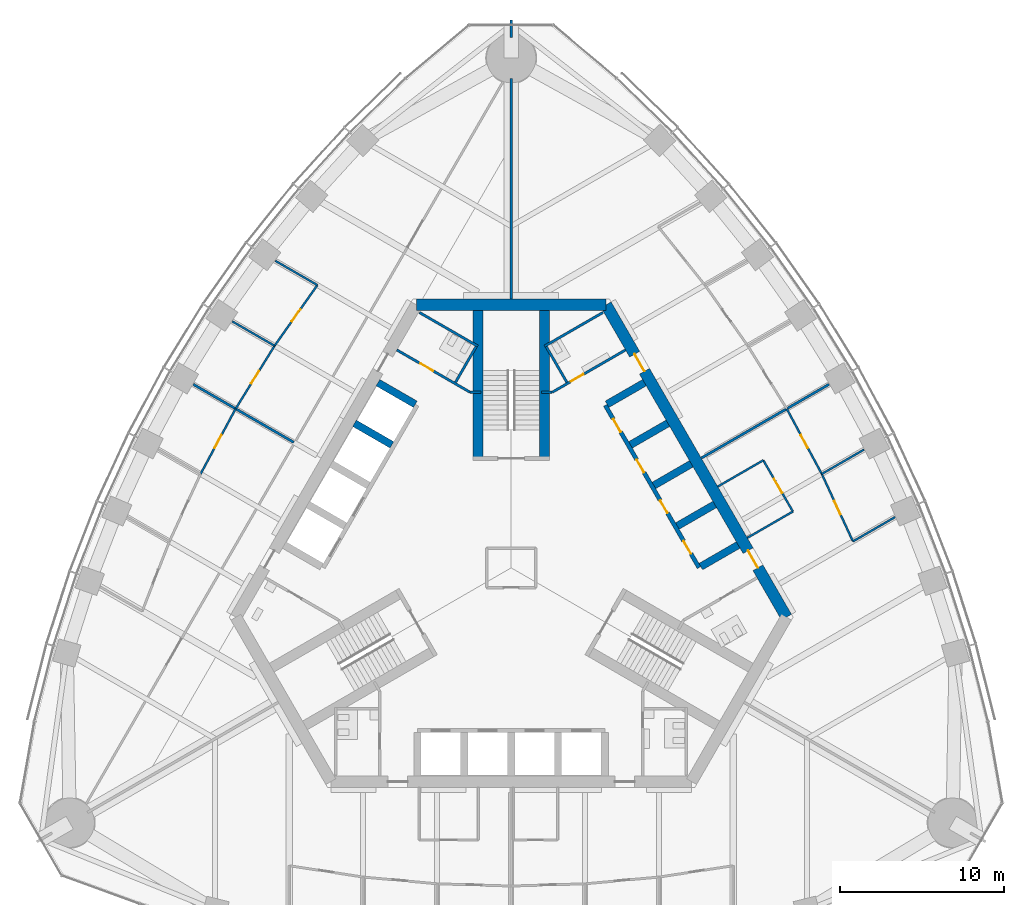
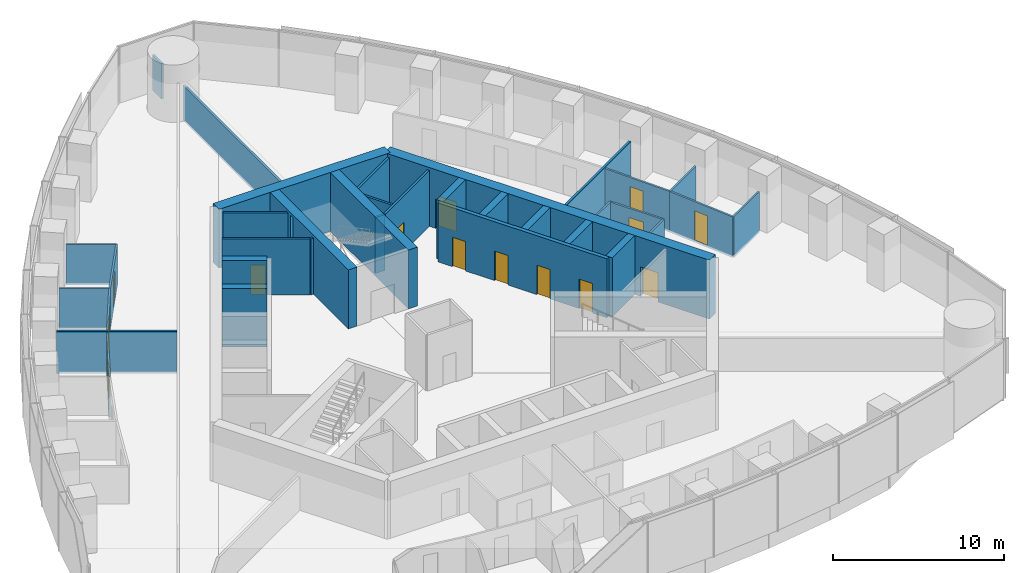
# One storey, part 10 of 16: 36 walls, 14 doors, 14 openings.
"""IFC4 building model written with IfcOpenShell, lengths in metres."""

from ifc_helpers import new_model, si_unit, direction, frame, frame_2d, origin, place, context, subcontext, project, spatial, rectangle, extrude, material, layer, layer_set, type_object, element, fill, save


model = new_model("IFC4")

# Units and contexts
model_context = context("Model", 3, precision=1e-05, world=origin(), true_north=direction((0.0, 1.0)))
body_context = subcontext(model_context, "Body", "Model", "MODEL_VIEW")
ifc_project = project(units=[si_unit("LENGTHUNIT", "METRE"), si_unit("AREAUNIT", "SQUARE_METRE"), si_unit("VOLUMEUNIT", "CUBIC_METRE"), si_unit("PLANEANGLEUNIT", "RADIAN"), si_unit("MASSUNIT", "GRAM", prefix="KILO")], contexts=[model_context])

# Site, building, storey
site_placement = place(None, origin())
site = spatial("IfcSite", under=ifc_project, at=site_placement, CompositionType="ELEMENT")
building_placement = place(site_placement, origin())
building = spatial("IfcBuilding", under=site, at=building_placement, Name="Trefoil Bronze Tower", CompositionType="ELEMENT")
storey_placement = place(building_placement, frame((0.0, 0.0, 284.699951171875)))
storey = spatial("IfcBuildingStorey", under=building, at=storey_placement, Name="L65", CompositionType="ELEMENT", Elevation=284.699951171875)

# Wall, openings, doors
ifc_material_1 = material(Name="Concrete B80", Category="concrete")
ifc_layer_1 = layer(ifc_material_1, 0.699951171875)
ifc_layer_set_1 = layer_set([ifc_layer_1], Name="Core wall 700")
wall_type_1 = type_object("IfcWallType", Name="Core wall 700", PredefinedType="SHEAR", material=ifc_layer_set_1)
wall_1_placement = place(storey_placement, frame((16.7431640625, -3.0, 0.0), z_axis=(0.0, 0.0, 1.0), x_axis=(-0.500002442456, 0.866023993627, 0.0)))
wall_1 = element("IfcWall", 1, at=wall_1_placement, inside=storey, type_object=wall_type_1, Name="Core long wall 2 L65", PredefinedType="SHEAR", context=body_context, shape_type="SweptSolid", body=[
    extrude(rectangle(XDim=21.939453125, YDim=0.699951171875, at=frame_2d((10.9697265625, 0.0))), origin(), (0.0, 0.0, 1.0), 4.199951171875),
])
opening_1_placement = place(wall_1_placement, frame((17.269775390625, 0.0, 0.0)))
opening_1 = element("IfcOpeningElement", 2, at=opening_1_placement, cuts=wall_1, Name="Opening D2", PredefinedType="OPENING", context=body_context, shape_type="SweptSolid", body=[
    extrude(rectangle(XDim=1.199951171875, YDim=2.10009765625, at=frame_2d((0.60009765625, 1.050048828125))), frame((0.0, 0.35986328125, 0.0), z_axis=(0.0, -1.0, 0.0), x_axis=(1.0, 0.0, 0.0)), (0.0, 0.0, 1.0), 0.719970703125),
])
opening_2_placement = place(wall_1_placement, frame((3.4697265625, 0.0, 0.0)))
opening_2 = element("IfcOpeningElement", 3, at=opening_2_placement, cuts=wall_1, Name="Opening D2", PredefinedType="OPENING", context=body_context, shape_type="SweptSolid", body=[
    extrude(rectangle(XDim=1.199951171875, YDim=2.10009765625, at=frame_2d((0.60009765625, 1.050048828125))), frame((0.0, 0.35986328125, 0.0), z_axis=(0.0, -1.0, 0.0), x_axis=(1.0, 0.0, 0.0)), (0.0, 0.0, 1.0), 0.719970703125),
])
ifc_material_2 = material(Name="Steel door", Category="steel")
door_type_1 = type_object("IfcDoorType", Name="Lobby door 1200", OperationType="SINGLE_SWING_RIGHT", PredefinedType="DOOR", material=ifc_material_2)
door_1_placement = place(opening_1_placement, origin())
door_1 = element("IfcDoor", 4, at=door_1_placement, inside=storey, type_object=door_type_1, Name="Lobby door F2+ L65", OperationType="SINGLE_SWING_RIGHT", OverallHeight=2.10009765625, OverallWidth=1.199951171875, PredefinedType="DOOR", context=body_context, shape_type="SweptSolid", body=[
    extrude(rectangle(XDim=1.199951171875, YDim=2.10009765625, at=frame_2d((0.60009765625, 1.050048828125))), frame((0.0, 0.02490234375, 0.0), z_axis=(0.0, -1.0, 0.0), x_axis=(1.0, 0.0, 0.0)), (0.0, 0.0, 1.0), 0.050048828125),
])
fill(opening_1, door_1)
door_2_placement = place(opening_2_placement, origin())
door_2 = element("IfcDoor", 5, at=door_2_placement, inside=storey, type_object=door_type_1, Name="Lobby door F2- L65", OperationType="SINGLE_SWING_LEFT", OverallHeight=2.10009765625, OverallWidth=1.199951171875, PredefinedType="DOOR", context=body_context, shape_type="SweptSolid", body=[
    extrude(rectangle(XDim=1.199951171875, YDim=2.10009765625, at=frame_2d((0.60009765625, 1.050048828125))), frame((0.0, 0.02490234375, 0.0), z_axis=(0.0, -1.0, 0.0), x_axis=(1.0, 0.0, 0.0)), (0.0, 0.0, 1.0), 0.050048828125),
])
fill(opening_2, door_2)

# Wall
wall_2_placement = place(storey_placement, frame((5.7734375, 16.0, 0.0), z_axis=(0.0, 0.0, 1.0), x_axis=(-1.0, 0.0, 0.0)))
element("IfcWall", 6, at=wall_2_placement, inside=storey, type_object=wall_type_1, Name="Core short wall 2 L65", PredefinedType="SHEAR", context=body_context, shape_type="SweptSolid", body=[
    extrude(rectangle(XDim=11.546875, YDim=0.699951171875, at=frame_2d((5.7734375, 0.0))), origin(), (0.0, 0.0, 1.0), 4.199951171875),
])

# Wall, opening, door
ifc_material_3 = material(Name="Glazed partition", Category="glass")
ifc_layer_2 = layer(ifc_material_3, 0.1201171875)
ifc_layer_set_2 = layer_set([ifc_layer_2], Name="Glazed partition 120")
wall_type_2 = type_object("IfcWallType", Name="Glazed partition 120", PredefinedType="PARTITIONING", material=ifc_layer_set_2)
wall_3_placement = place(storey_placement, frame((17.1328125, 3.42529296875, 0.0), z_axis=(0.0, 0.0, 1.0), x_axis=(-0.500012057535, 0.866018442252, 0.0)))
wall_3 = element("IfcWall", 7, at=wall_3_placement, inside=storey, type_object=wall_type_2, Name="Partition F2 L65", PredefinedType="PARTITIONING", context=body_context, shape_type="SweptSolid", body=[
    extrude(rectangle(XDim=3.60009765625, YDim=0.1201171875, at=frame_2d((1.800048828125, 0.0))), origin(), (0.0, 0.0, 1.0), 2.900146484375),
])
opening_3_placement = place(wall_3_placement, frame((1.300048828125, 0.0, 0.14990234375)))
opening_3 = element("IfcOpeningElement", 8, at=opening_3_placement, cuts=wall_3, Name="Opening D9", PredefinedType="OPENING", context=body_context, shape_type="SweptSolid", body=[
    extrude(rectangle(XDim=1.0, YDim=2.10009765625, at=frame_2d((0.5, 1.050048828125))), frame((0.0, 0.070068359375, 0.0), z_axis=(0.0, -1.0, 0.0), x_axis=(1.0, 0.0, 0.0)), (0.0, 0.0, 1.0), 0.14013671875),
])
ifc_material_4 = material(Name="Glazed timber door", Category="wood")
door_type_2 = type_object("IfcDoorType", Name="Meeting room door 1000", OperationType="SINGLE_SWING_LEFT", PredefinedType="DOOR", material=ifc_material_4)
door_3_placement = place(opening_3_placement, origin())
door_3 = element("IfcDoor", 9, at=door_3_placement, inside=storey, type_object=door_type_2, Name="Meeting room door F2 L65", OperationType="SINGLE_SWING_RIGHT", OverallHeight=2.10009765625, OverallWidth=1.0, PredefinedType="DOOR", context=body_context, shape_type="SweptSolid", body=[
    extrude(rectangle(XDim=1.0, YDim=2.10009765625, at=frame_2d((0.5, 1.050048828125))), frame((0.0, 0.02490234375, 0.0), z_axis=(0.0, -1.0, 0.0), x_axis=(1.0, 0.0, 0.0)), (0.0, 0.0, 1.0), 0.050048828125),
])
fill(opening_3, door_3)

# Walls
wall_4_placement = place(storey_placement, frame((12.5615234375, 4.94287109375, 0.0), z_axis=(0.0, 0.0, 1.0), x_axis=(0.866008981251, 0.500028443584, 0.0)))
element("IfcWall", 10, at=wall_4_placement, inside=storey, type_object=wall_type_2, Name="Partition F2 L65", PredefinedType="PARTITIONING", context=body_context, shape_type="SweptSolid", body=[
    extrude(rectangle(XDim=3.199951171875, YDim=0.1201171875, at=frame_2d((1.60009765625, 0.0))), origin(), (0.0, 0.0, 1.0), 2.900146484375),
])
wall_5_placement = place(storey_placement, frame((14.361328125, 1.8251953125, 0.0), z_axis=(0.0, 0.0, 1.0), x_axis=(0.866028054938, 0.499995408039, 0.0)))
element("IfcWall", 11, at=wall_5_placement, inside=storey, type_object=wall_type_2, Name="Partition F2 L65", PredefinedType="PARTITIONING", context=body_context, shape_type="SweptSolid", body=[
    extrude(rectangle(XDim=3.2001953125, YDim=0.1201171875, at=frame_2d((1.60009765625, 0.0))), origin(), (0.0, 0.0, 1.0), 2.900146484375),
])

# Wall, opening, door
wall_6_placement = place(storey_placement, frame((18.890869140625, 5.71044921875, 0.0), z_axis=(0.0, 0.0, 1.0), x_axis=(-0.473524102582, 0.880780860529, 0.0)))
wall_6 = element("IfcWall", 12, at=wall_6_placement, inside=storey, type_object=wall_type_2, Name="Partition F2 L65", PredefinedType="PARTITIONING", context=body_context, shape_type="SweptSolid", body=[
    extrude(rectangle(XDim=4.501953125, YDim=0.1201171875, at=frame_2d((2.2509765625, 0.0))), origin(), (0.0, 0.0, 1.0), 2.900146484375),
])
opening_4_placement = place(wall_6_placement, frame((1.800048828125, 0.0, 0.14990234375)))
opening_4 = element("IfcOpeningElement", 13, at=opening_4_placement, cuts=wall_6, Name="Opening D8", PredefinedType="OPENING", context=body_context, shape_type="SweptSolid", body=[
    extrude(rectangle(XDim=0.89990234375, YDim=2.10009765625, at=frame_2d((0.449951171875, 1.050048828125))), frame((0.0, 0.070068359375, 0.0), z_axis=(0.0, -1.0, 0.0), x_axis=(1.0, 0.0, 0.0)), (0.0, 0.0, 1.0), 0.14013671875),
])
ifc_material_5 = material(Name="Timber door", Category="wood")
door_type_3 = type_object("IfcDoorType", Name="Office door 900", OperationType="SINGLE_SWING_LEFT", PredefinedType="DOOR", material=ifc_material_5)
door_4_placement = place(opening_4_placement, frame((0.89990234375, 0.0, 0.0), z_axis=(0.0, 0.0, 1.0), x_axis=(-1.0, 0.0, 0.0)))
door_4 = element("IfcDoor", 14, at=door_4_placement, inside=storey, type_object=door_type_3, Name="Office door F2 L65", OperationType="SINGLE_SWING_RIGHT", OverallHeight=2.10009765625, OverallWidth=0.89990234375, PredefinedType="DOOR", context=body_context, shape_type="SweptSolid", body=[
    extrude(rectangle(XDim=0.89990234375, YDim=2.10009765625, at=frame_2d((0.449951171875, 1.050048828125))), frame((0.0, 0.02490234375, 0.0), z_axis=(0.0, -1.0, 0.0), x_axis=(1.0, 0.0, 0.0)), (0.0, 0.0, 1.0), 0.050048828125),
])
fill(opening_4, door_4)

wall_7_placement = place(storey_placement, frame((20.78564453125, 1.6083984375, 0.0), z_axis=(0.0, 0.0, 1.0), x_axis=(-0.419335693458, 0.907831248742, 0.0)))
wall_7 = element("IfcWall", 15, at=wall_7_placement, inside=storey, type_object=wall_type_2, Name="Partition F2 L65", PredefinedType="PARTITIONING", context=body_context, shape_type="SweptSolid", body=[
    extrude(rectangle(XDim=4.5185546875, YDim=0.1201171875, at=frame_2d((2.25927734375, 0.0))), origin(), (0.0, 0.0, 1.0), 2.900146484375),
])
opening_5_placement = place(wall_7_placement, frame((1.800048828125, 0.0, 0.14990234375)))
opening_5 = element("IfcOpeningElement", 16, at=opening_5_placement, cuts=wall_7, Name="Opening D8", PredefinedType="OPENING", context=body_context, shape_type="SweptSolid", body=[
    extrude(rectangle(XDim=0.89990234375, YDim=2.10009765625, at=frame_2d((0.449951171875, 1.050048828125))), frame((0.0, 0.070068359375, 0.0), z_axis=(0.0, -1.0, 0.0), x_axis=(1.0, 0.0, 0.0)), (0.0, 0.0, 1.0), 0.14013671875),
])
door_5_placement = place(opening_5_placement, frame((0.89990234375, 0.0, 0.0), z_axis=(0.0, 0.0, 1.0), x_axis=(-1.0, 0.0, 0.0)))
door_5 = element("IfcDoor", 17, at=door_5_placement, inside=storey, type_object=door_type_3, Name="Office door F2 L65", OperationType="SINGLE_SWING_RIGHT", OverallHeight=2.10009765625, OverallWidth=0.89990234375, PredefinedType="DOOR", context=body_context, shape_type="SweptSolid", body=[
    extrude(rectangle(XDim=0.89990234375, YDim=2.10009765625, at=frame_2d((0.449951171875, 1.050048828125))), frame((0.0, 0.02490234375, 0.0), z_axis=(0.0, -1.0, 0.0), x_axis=(1.0, 0.0, 0.0)), (0.0, 0.0, 1.0), 0.050048828125),
])
fill(opening_5, door_5)

# Walls
wall_8_placement = place(storey_placement, frame((18.890869140625, 5.71044921875, 0.0), z_axis=(0.0, 0.0, 1.0), x_axis=(0.866032134716, 0.499988341504, 0.0)))
element("IfcWall", 18, at=wall_8_placement, inside=storey, type_object=wall_type_2, Name="Partition F2 L65", PredefinedType="PARTITIONING", context=body_context, shape_type="SweptSolid", body=[
    extrude(rectangle(XDim=2.96728515625, YDim=0.1201171875, at=frame_2d((1.483642578125, 0.0))), origin(), (0.0, 0.0, 1.0), 2.900146484375),
])
wall_9_placement = place(storey_placement, frame((20.78564453125, 1.6083984375, 0.0), z_axis=(0.0, 0.0, 1.0), x_axis=(0.866056430242, 0.499946256749, 0.0)))
element("IfcWall", 19, at=wall_9_placement, inside=storey, type_object=wall_type_2, Name="Partition F2 L65", PredefinedType="PARTITIONING", context=body_context, shape_type="SweptSolid", body=[
    extrude(rectangle(XDim=2.958740234375, YDim=0.1201171875, at=frame_2d((1.4794921875, 0.0))), origin(), (0.0, 0.0, 1.0), 2.900146484375),
])

# Wall, opening, door
wall_10_placement = place(storey_placement, frame((-16.759033203125, 9.67578125, 0.0), z_axis=(0.0, 0.0, 1.0), x_axis=(-0.473524102582, -0.880780860529, 0.0)))
wall_10 = element("IfcWall", 20, at=wall_10_placement, inside=storey, type_object=wall_type_2, Name="Partition F3 L65", PredefinedType="PARTITIONING", context=body_context, shape_type="SweptSolid", body=[
    extrude(rectangle(XDim=4.501953125, YDim=0.1201171875, at=frame_2d((2.2509765625, 0.0))), origin(), (0.0, 0.0, 1.0), 2.900146484375),
])
opening_6_placement = place(wall_10_placement, frame((1.800048828125, 0.0, 0.14990234375)))
opening_6 = element("IfcOpeningElement", 21, at=opening_6_placement, cuts=wall_10, Name="Opening D8", PredefinedType="OPENING", context=body_context, shape_type="SweptSolid", body=[
    extrude(rectangle(XDim=0.89990234375, YDim=2.10009765625, at=frame_2d((0.449951171875, 1.050048828125))), frame((0.0, 0.070068359375, 0.0), z_axis=(0.0, -1.0, 0.0), x_axis=(1.0, 0.0, 0.0)), (0.0, 0.0, 1.0), 0.14013671875),
])
door_6_placement = place(opening_6_placement, frame((0.89990234375, 0.0, 0.0), z_axis=(0.0, 0.0, 1.0), x_axis=(-1.0, 0.0, 0.0)))
door_6 = element("IfcDoor", 22, at=door_6_placement, inside=storey, type_object=door_type_3, Name="Office door F3 L65", OperationType="SINGLE_SWING_RIGHT", OverallHeight=2.10009765625, OverallWidth=0.89990234375, PredefinedType="DOOR", context=body_context, shape_type="SweptSolid", body=[
    extrude(rectangle(XDim=0.89990234375, YDim=2.10009765625, at=frame_2d((0.449951171875, 1.050048828125))), frame((0.0, 0.02490234375, 0.0), z_axis=(0.0, -1.0, 0.0), x_axis=(1.0, 0.0, 0.0)), (0.0, 0.0, 1.0), 0.050048828125),
])
fill(opening_6, door_6)

wall_11_placement = place(storey_placement, frame((-14.390869140625, 13.5048828125, 0.0), z_axis=(0.0, 0.0, 1.0), x_axis=(-0.525996140194, -0.850486954927, 0.0)))
wall_11 = element("IfcWall", 23, at=wall_11_placement, inside=storey, type_object=wall_type_2, Name="Partition F3 L65", PredefinedType="PARTITIONING", context=body_context, shape_type="SweptSolid", body=[
    extrude(rectangle(XDim=4.502197265625, YDim=0.1201171875, at=frame_2d((2.2509765625, 0.0))), origin(), (0.0, 0.0, 1.0), 2.900146484375),
])
opening_7_placement = place(wall_11_placement, frame((1.800048828125, 0.0, 0.14990234375)))
opening_7 = element("IfcOpeningElement", 24, at=opening_7_placement, cuts=wall_11, Name="Opening D8", PredefinedType="OPENING", context=body_context, shape_type="SweptSolid", body=[
    extrude(rectangle(XDim=0.89990234375, YDim=2.10009765625, at=frame_2d((0.449951171875, 1.050048828125))), frame((0.0, 0.070068359375, 0.0), z_axis=(0.0, -1.0, 0.0), x_axis=(1.0, 0.0, 0.0)), (0.0, 0.0, 1.0), 0.14013671875),
])
door_7_placement = place(opening_7_placement, frame((0.89990234375, 0.0, 0.0), z_axis=(0.0, 0.0, 1.0), x_axis=(-1.0, 0.0, 0.0)))
door_7 = element("IfcDoor", 25, at=door_7_placement, inside=storey, type_object=door_type_3, Name="Office door F3 L65", OperationType="SINGLE_SWING_RIGHT", OverallHeight=2.10009765625, OverallWidth=0.89990234375, PredefinedType="DOOR", context=body_context, shape_type="SweptSolid", body=[
    extrude(rectangle(XDim=0.89990234375, YDim=2.10009765625, at=frame_2d((0.449951171875, 1.050048828125))), frame((0.0, 0.02490234375, 0.0), z_axis=(0.0, -1.0, 0.0), x_axis=(1.0, 0.0, 0.0)), (0.0, 0.0, 1.0), 0.050048828125),
])
fill(opening_7, door_7)

wall_12_placement = place(storey_placement, frame((-11.78564453125, 17.19677734375, 0.0), z_axis=(0.0, 0.0, 1.0), x_axis=(-0.576562277172, -0.817053205454, 0.0)))
wall_12 = element("IfcWall", 26, at=wall_12_placement, inside=storey, type_object=wall_type_2, Name="Partition F3 L65", PredefinedType="PARTITIONING", context=body_context, shape_type="SweptSolid", body=[
    extrude(rectangle(XDim=4.5185546875, YDim=0.1201171875, at=frame_2d((2.25927734375, 0.0))), origin(), (0.0, 0.0, 1.0), 2.900146484375),
])
opening_8_placement = place(wall_12_placement, frame((1.800048828125, 0.0, 0.14990234375)))
opening_8 = element("IfcOpeningElement", 27, at=opening_8_placement, cuts=wall_12, Name="Opening D8", PredefinedType="OPENING", context=body_context, shape_type="SweptSolid", body=[
    extrude(rectangle(XDim=0.89990234375, YDim=2.10009765625, at=frame_2d((0.449951171875, 1.050048828125))), frame((0.0, 0.070068359375, 0.0), z_axis=(0.0, -1.0, 0.0), x_axis=(1.0, 0.0, 0.0)), (0.0, 0.0, 1.0), 0.14013671875),
])
door_8_placement = place(opening_8_placement, frame((0.89990234375, 0.0, 0.0), z_axis=(0.0, 0.0, 1.0), x_axis=(-1.0, 0.0, 0.0)))
door_8 = element("IfcDoor", 28, at=door_8_placement, inside=storey, type_object=door_type_3, Name="Office door F3 L65", OperationType="SINGLE_SWING_RIGHT", OverallHeight=2.10009765625, OverallWidth=0.89990234375, PredefinedType="DOOR", context=body_context, shape_type="SweptSolid", body=[
    extrude(rectangle(XDim=0.89990234375, YDim=2.10009765625, at=frame_2d((0.449951171875, 1.050048828125))), frame((0.0, 0.02490234375, 0.0), z_axis=(0.0, -1.0, 0.0), x_axis=(1.0, 0.0, 0.0)), (0.0, 0.0, 1.0), 0.050048828125),
])
fill(opening_8, door_8)

# Walls
wall_13_placement = place(storey_placement, frame((-14.390869140625, 13.5048828125, 0.0), z_axis=(0.0, 0.0, 1.0), x_axis=(-0.866067759775, 0.499926630096, 0.0)))
element("IfcWall", 29, at=wall_13_placement, inside=storey, type_object=wall_type_2, Name="Partition F3 L65", PredefinedType="PARTITIONING", context=body_context, shape_type="SweptSolid", body=[
    extrude(rectangle(XDim=2.96728515625, YDim=0.1201171875, at=frame_2d((1.483642578125, 0.0))), origin(), (0.0, 0.0, 1.0), 2.900146484375),
])
wall_14_placement = place(storey_placement, frame((-11.78564453125, 17.19677734375, 0.0), z_axis=(0.0, 0.0, 1.0), x_axis=(-0.866056430242, 0.499946256749, 0.0)))
element("IfcWall", 30, at=wall_14_placement, inside=storey, type_object=wall_type_2, Name="Partition F3 L65", PredefinedType="PARTITIONING", context=body_context, shape_type="SweptSolid", body=[
    extrude(rectangle(XDim=2.958740234375, YDim=0.1201171875, at=frame_2d((1.4794921875, 0.0))), origin(), (0.0, 0.0, 1.0), 2.900146484375),
])
ifc_material_6 = material(Name="Concrete B80", Category="concrete")
ifc_layer_3 = layer(ifc_material_6, 0.449951171875)
ifc_layer_set_3 = layer_set([ifc_layer_3], Name="Outrigger shaft wall 450")
wall_type_3 = type_object("IfcWallType", Name="Outrigger shaft wall 450", PredefinedType="SHEAR", material=ifc_layer_set_3)
for number, where, z_axis, x_axis, name in (
    (31, (11.531982421875, 0.076171875, 0.0), (0.0, 0.0, 1.0), (0.866013657776, 0.500020344131, 0.0), "Lift shaft side wall B0 L65"),
    (32, (10.10693359375, 2.54443359375, 0.0), (0.0, 0.0, 1.0), (0.866013657776, 0.500020344131, 0.0), "Lift shaft side wall B1 L65"),
    (33, (8.681884765625, 5.012451171875, 0.0), (0.0, 0.0, 1.0), (0.866036909293, 0.499980071345, 0.0), "Lift shaft side wall B2 L65"),
    (34, (7.2568359375, 7.480712890625, 0.0), (0.0, 0.0, 1.0), (0.866036909293, 0.499980071345, 0.0), "Lift shaft side wall B3 L65"),
    (35, (5.831787109375, 9.94873046875, 0.0), (0.0, 0.0, 1.0), (0.866036909293, 0.499980071345, 0.0), "Lift shaft side wall B4 L65"),
    (36, (-5.831787109375, 9.94873046875, 0.0), (0.0, 0.0, 1.0), (-0.866036909293, 0.499980071345, 0.0), "Lift shaft side wall C0 L65"),
    (37, (-7.2568359375, 7.480712890625, 0.0), (0.0, 0.0, 1.0), (-0.866036909293, 0.499980071345, 0.0), "Lift shaft side wall C1 L65"),
):
    element("IfcWall", number, at=place(storey_placement, frame(where, z_axis=z_axis, x_axis=x_axis)), inside=storey, type_object=wall_type_3, Name=name, PredefinedType="SHEAR", context=body_context, shape_type="SweptSolid", body=[
        extrude(rectangle(XDim=2.625, YDim=0.449951171875, at=frame_2d((1.3125, 0.0))), origin(), (0.0, 0.0, 1.0), 4.199951171875),
    ])

# Wall, opening, door
ifc_material_7 = material(Name="Gypsum board on steel studs", Category="steel")
ifc_layer_4 = layer(ifc_material_7, 0.14990234375)
ifc_layer_set_4 = layer_set([ifc_layer_4], Name="Partition 150")
wall_type_4 = type_object("IfcWallType", Name="Partition 150", PredefinedType="PARTITIONING", material=ifc_layer_set_4)
wall_15_placement = place(storey_placement, frame((2.4951171875, 10.67822265625, 0.0), z_axis=(0.0, 0.0, 1.0), x_axis=(0.866037967349, 0.499978238636, 0.0)))
wall_15 = element("IfcWall", 38, at=wall_15_placement, inside=storey, type_object=wall_type_4, Name="Passage wall F2+ L65", PredefinedType="PARTITIONING", context=body_context, shape_type="SweptSolid", body=[
    extrude(rectangle(XDim=5.150146484375, YDim=0.14990234375, at=frame_2d((2.5751953125, 0.0))), origin(), (0.0, 0.0, 1.0), 4.0),
])
opening_9_placement = place(wall_15_placement, frame((1.300048828125, 0.0, 0.0)))
opening_9 = element("IfcOpeningElement", 39, at=opening_9_placement, cuts=wall_15, Name="Opening D3", PredefinedType="OPENING", context=body_context, shape_type="SweptSolid", body=[
    extrude(rectangle(XDim=0.89990234375, YDim=2.10009765625, at=frame_2d((0.449951171875, 1.050048828125))), frame((0.0, 0.0849609375, 0.0), z_axis=(0.0, -1.0, 0.0), x_axis=(1.0, 0.0, 0.0)), (0.0, 0.0, 1.0), 0.169921875),
])
ifc_material_8 = material(Name="Timber door", Category="wood")
door_type_4 = type_object("IfcDoorType", Name="WC door 900", OperationType="SINGLE_SWING_LEFT", PredefinedType="DOOR", material=ifc_material_8)
door_9_placement = place(opening_9_placement, origin())
door_9 = element("IfcDoor", 40, at=door_9_placement, inside=storey, type_object=door_type_4, Name="WC (men) door L65", OperationType="SINGLE_SWING_LEFT", OverallHeight=2.10009765625, OverallWidth=0.89990234375, PredefinedType="DOOR", context=body_context, shape_type="SweptSolid", body=[
    extrude(rectangle(XDim=0.89990234375, YDim=2.10009765625, at=frame_2d((0.449951171875, 1.050048828125))), frame((0.0, 0.02490234375, 0.0), z_axis=(0.0, -1.0, 0.0), x_axis=(1.0, 0.0, 0.0)), (0.0, 0.0, 1.0), 0.050048828125),
])
fill(opening_9, door_9)

wall_16_placement = place(storey_placement, frame((-2.4951171875, 10.67822265625, 0.0), z_axis=(0.0, 0.0, 1.0), x_axis=(-0.866037967349, 0.499978238636, 0.0)))
wall_16 = element("IfcWall", 41, at=wall_16_placement, inside=storey, type_object=wall_type_4, Name="Passage wall F3- L65", PredefinedType="PARTITIONING", context=body_context, shape_type="SweptSolid", body=[
    extrude(rectangle(XDim=5.150146484375, YDim=0.14990234375, at=frame_2d((2.5751953125, 0.0))), origin(), (0.0, 0.0, 1.0), 4.0),
])
opening_10_placement = place(wall_16_placement, frame((2.60009765625, 0.0, 0.0)))
opening_10 = element("IfcOpeningElement", 42, at=opening_10_placement, cuts=wall_16, Name="Opening D3", PredefinedType="OPENING", context=body_context, shape_type="SweptSolid", body=[
    extrude(rectangle(XDim=0.89990234375, YDim=2.10009765625, at=frame_2d((0.449951171875, 1.050048828125))), frame((0.0, 0.0849609375, 0.0), z_axis=(0.0, -1.0, 0.0), x_axis=(1.0, 0.0, 0.0)), (0.0, 0.0, 1.0), 0.169921875),
])
door_10_placement = place(opening_10_placement, frame((0.89990234375, 0.0, 0.0), z_axis=(0.0, 0.0, 1.0), x_axis=(-1.0, 0.0, 0.0)))
door_10 = element("IfcDoor", 43, at=door_10_placement, inside=storey, type_object=door_type_4, Name="WC (women) door L65", OperationType="SINGLE_SWING_RIGHT", OverallHeight=2.10009765625, OverallWidth=0.89990234375, PredefinedType="DOOR", context=body_context, shape_type="SweptSolid", body=[
    extrude(rectangle(XDim=0.89990234375, YDim=2.10009765625, at=frame_2d((0.449951171875, 1.050048828125))), frame((0.0, 0.02490234375, 0.0), z_axis=(0.0, -1.0, 0.0), x_axis=(1.0, 0.0, 0.0)), (0.0, 0.0, 1.0), 0.050048828125),
])
fill(opening_10, door_10)

# Walls
for number, where, z_axis, x_axis, name in (
    (44, (2.4951171875, 10.67822265625, 0.0), (0.0, 0.0, 1.0), (-1.0, 0.0, 0.0), "WC wall ST2-1 L65"),
    (45, (-2.4951171875, 10.67822265625, 0.0), (0.0, 0.0, 1.0), (1.0, 0.0, 0.0), "WC wall ST2+1 L65"),
):
    element("IfcWall", number, at=place(storey_placement, frame(where, z_axis=z_axis, x_axis=x_axis)), inside=storey, type_object=wall_type_4, Name=name, PredefinedType="PARTITIONING", context=body_context, shape_type="SweptSolid", body=[
        extrude(rectangle(XDim=0.64501953125, YDim=0.14990234375, at=frame_2d((0.322509765625, 0.0))), origin(), (0.0, 0.0, 1.0), 4.0),
    ])
wall_17_placement = place(storey_placement, frame((2.03125, 13.48193359375, 0.0), z_axis=(0.0, 0.0, 1.0), x_axis=(0.866050731258, 0.499956128963, 0.0)))
element("IfcWall", 46, at=wall_17_placement, inside=storey, type_object=wall_type_4, Name="WC partition WC (men) L65", PredefinedType="PARTITIONING", context=body_context, shape_type="SweptSolid", body=[
    extrude(rectangle(XDim=4.099853515625, YDim=0.14990234375, at=frame_2d((2.0498046875, 0.0))), origin(), (0.0, 0.0, 1.0), 4.0),
])
wall_18_placement = place(storey_placement, frame((3.388671875, 11.28076171875, 0.0), z_axis=(0.0, 0.0, 1.0), x_axis=(-0.499989096993, 0.866031698547, 0.0)))
element("IfcWall", 47, at=wall_18_placement, inside=storey, type_object=wall_type_4, Name="WC partition WC (men) L65", PredefinedType="PARTITIONING", context=body_context, shape_type="SweptSolid", body=[
    extrude(rectangle(XDim=2.509765625, YDim=0.14990234375, at=frame_2d((1.2548828125, 0.0))), origin(), (0.0, 0.0, 1.0), 4.0),
])
wall_19_placement = place(storey_placement, frame((-2.03125, 13.48193359375, 0.0), z_axis=(0.0, 0.0, 1.0), x_axis=(-0.866050731258, 0.499956128963, 0.0)))
element("IfcWall", 48, at=wall_19_placement, inside=storey, type_object=wall_type_4, Name="WC partition WC (women) L65", PredefinedType="PARTITIONING", context=body_context, shape_type="SweptSolid", body=[
    extrude(rectangle(XDim=4.099853515625, YDim=0.14990234375, at=frame_2d((2.0498046875, 0.0))), origin(), (0.0, 0.0, 1.0), 4.0),
])
wall_20_placement = place(storey_placement, frame((-3.388671875, 11.28076171875, 0.0), z_axis=(0.0, 0.0, 1.0), x_axis=(0.499989096993, 0.866031698547, 0.0)))
element("IfcWall", 49, at=wall_20_placement, inside=storey, type_object=wall_type_4, Name="WC partition WC (women) L65", PredefinedType="PARTITIONING", context=body_context, shape_type="SweptSolid", body=[
    extrude(rectangle(XDim=2.509765625, YDim=0.14990234375, at=frame_2d((1.2548828125, 0.0))), origin(), (0.0, 0.0, 1.0), 4.0),
])
ifc_material_9 = material(Name="Gypsum board on steel studs", Category="steel")
ifc_layer_5 = layer(ifc_material_9, 0.14990234375)
ifc_layer_set_5 = layer_set([ifc_layer_5], Name="Party wall 150")
wall_type_5 = type_object("IfcWallType", Name="Party wall 150", PredefinedType="PARTITIONING", material=ifc_layer_set_5)
wall_21_placement = place(storey_placement, frame((0.0, 16.35009765625, 0.0), z_axis=(0.0, 0.0, 1.0), x_axis=(0.0, 1.0, 0.0)))
element("IfcWall", 50, at=wall_21_placement, inside=storey, type_object=wall_type_5, Name="Party wall K2 L65", PredefinedType="PARTITIONING", context=body_context, shape_type="SweptSolid", body=[
    extrude(rectangle(XDim=13.39990234375, YDim=0.14990234375, at=frame_2d((6.699951171875, 0.0))), origin(), (0.0, 0.0, 1.0), 2.5),
])
wall_22_placement = place(storey_placement, frame((0.0, 32.25, 0.0), z_axis=(0.0, 0.0, 1.0), x_axis=(0.0, 1.0, 0.0)))
element("IfcWall", 51, at=wall_22_placement, inside=storey, type_object=wall_type_5, Name="Party wall K2 L65", PredefinedType="PARTITIONING", context=body_context, shape_type="SweptSolid", body=[
    extrude(rectangle(XDim=1.06982421875, YDim=0.14990234375, at=frame_2d((0.534912109375, 0.0))), origin(), (0.0, 0.0, 1.0), 2.5),
])
wall_23_placement = place(storey_placement, frame((11.570068359375, 6.679931640625, 0.0), z_axis=(0.0, 0.0, 1.0), x_axis=(0.866018180823, 0.500012510328, 0.0)))
element("IfcWall", 52, at=wall_23_placement, inside=storey, type_object=wall_type_5, Name="Demising wall F2 L65", PredefinedType="PARTITIONING", context=body_context, shape_type="SweptSolid", body=[
    extrude(rectangle(XDim=8.961669921875, YDim=0.14990234375, at=frame_2d((4.48095703125, 0.0))), origin(), (0.0, 0.0, 1.0), 3.0),
])
wall_24_placement = place(storey_placement, frame((-13.22412109375, 7.635009765625, 0.0), z_axis=(0.0, 0.0, 1.0), x_axis=(-0.86602299963, 0.500004164094, 0.0)))
element("IfcWall", 53, at=wall_24_placement, inside=storey, type_object=wall_type_5, Name="Demising wall F3 L65", PredefinedType="PARTITIONING", context=body_context, shape_type="SweptSolid", body=[
    extrude(rectangle(XDim=7.0517578125, YDim=0.14990234375, at=frame_2d((3.52587890625, 0.0))), origin(), (0.0, 0.0, 1.0), 3.0),
])

# Wall, openings, doors
ifc_material_10 = material(Name="Concrete B80", Category="concrete")
ifc_layer_6 = layer(ifc_material_10, 0.25)
ifc_layer_set_6 = layer_set([ifc_layer_6], Name="Shaft wall 250")
wall_type_6 = type_object("IfcWallType", Name="Shaft wall 250", PredefinedType="SHEAR", material=ifc_layer_set_6)
wall_25_placement = place(storey_placement, frame((11.423583984375, 0.013671875, 0.0), z_axis=(0.0, 0.0, 1.0), x_axis=(-0.500001763848, 0.866024385424, 0.0)))
wall_25 = element("IfcWall", 54, at=wall_25_placement, inside=storey, type_object=wall_type_6, Name="Lift shaft front wall B L65", PredefinedType="SHEAR", context=body_context, shape_type="SweptSolid", body=[
    extrude(rectangle(XDim=11.39990234375, YDim=0.25, at=frame_2d((5.699951171875, 0.0))), origin(), (0.0, 0.0, 1.0), 4.199951171875),
])
opening_11_placement = place(wall_25_placement, frame((0.97509765625, 0.0, 0.0)))
opening_11 = element("IfcOpeningElement", 55, at=opening_11_placement, cuts=wall_25, Name="Opening D12", PredefinedType="OPENING", context=body_context, shape_type="SweptSolid", body=[
    extrude(rectangle(XDim=0.89990234375, YDim=2.10009765625, at=frame_2d((0.449951171875, 1.050048828125))), frame((0.0, 0.135009765625, 0.0), z_axis=(0.0, -1.0, 0.0), x_axis=(1.0, 0.0, 0.0)), (0.0, 0.0, 1.0), 0.27001953125),
])
opening_12_placement = place(wall_25_placement, frame((3.824951171875, 0.0, 0.0)))
opening_12 = element("IfcOpeningElement", 56, at=opening_12_placement, cuts=wall_25, Name="Opening D12", PredefinedType="OPENING", context=body_context, shape_type="SweptSolid", body=[
    extrude(rectangle(XDim=0.89990234375, YDim=2.10009765625, at=frame_2d((0.449951171875, 1.050048828125))), frame((0.0, 0.135009765625, 0.0), z_axis=(0.0, -1.0, 0.0), x_axis=(1.0, 0.0, 0.0)), (0.0, 0.0, 1.0), 0.27001953125),
])
opening_13_placement = place(wall_25_placement, frame((6.675048828125, 0.0, 0.0)))
opening_13 = element("IfcOpeningElement", 57, at=opening_13_placement, cuts=wall_25, Name="Opening D12", PredefinedType="OPENING", context=body_context, shape_type="SweptSolid", body=[
    extrude(rectangle(XDim=0.89990234375, YDim=2.10009765625, at=frame_2d((0.449951171875, 1.050048828125))), frame((0.0, 0.135009765625, 0.0), z_axis=(0.0, -1.0, 0.0), x_axis=(1.0, 0.0, 0.0)), (0.0, 0.0, 1.0), 0.27001953125),
])
opening_14_placement = place(wall_25_placement, frame((9.52490234375, 0.0, 0.0)))
opening_14 = element("IfcOpeningElement", 58, at=opening_14_placement, cuts=wall_25, Name="Opening D12", PredefinedType="OPENING", context=body_context, shape_type="SweptSolid", body=[
    extrude(rectangle(XDim=0.89990234375, YDim=2.10009765625, at=frame_2d((0.449951171875, 1.050048828125))), frame((0.0, 0.135009765625, 0.0), z_axis=(0.0, -1.0, 0.0), x_axis=(1.0, 0.0, 0.0)), (0.0, 0.0, 1.0), 0.27001953125),
])
ifc_material_11 = material(Name="Steel door", Category="steel")
door_type_5 = type_object("IfcDoorType", Name="Shaft room door 900", OperationType="SINGLE_SWING_LEFT", PredefinedType="DOOR", material=ifc_material_11)
door_11_placement = place(opening_11_placement, frame((0.89990234375, 0.0, 0.0), z_axis=(0.0, 0.0, 1.0), x_axis=(-1.0, 0.0, 0.0)))
door_11 = element("IfcDoor", 59, at=door_11_placement, inside=storey, type_object=door_type_5, Name="Shaft room door B1 L65", OperationType="SINGLE_SWING_LEFT", OverallHeight=2.10009765625, OverallWidth=0.89990234375, PredefinedType="DOOR", context=body_context, shape_type="SweptSolid", body=[
    extrude(rectangle(XDim=0.89990234375, YDim=2.10009765625, at=frame_2d((0.449951171875, 1.050048828125))), frame((0.0, 0.02490234375, 0.0), z_axis=(0.0, -1.0, 0.0), x_axis=(1.0, 0.0, 0.0)), (0.0, 0.0, 1.0), 0.050048828125),
])
fill(opening_11, door_11)
door_12_placement = place(opening_12_placement, frame((0.89990234375, 0.0, 0.0), z_axis=(0.0, 0.0, 1.0), x_axis=(-1.0, 0.0, 0.0)))
door_12 = element("IfcDoor", 60, at=door_12_placement, inside=storey, type_object=door_type_5, Name="Shaft room door B2 L65", OperationType="SINGLE_SWING_RIGHT", OverallHeight=2.10009765625, OverallWidth=0.89990234375, PredefinedType="DOOR", context=body_context, shape_type="SweptSolid", body=[
    extrude(rectangle(XDim=0.89990234375, YDim=2.10009765625, at=frame_2d((0.449951171875, 1.050048828125))), frame((0.0, 0.02490234375, 0.0), z_axis=(0.0, -1.0, 0.0), x_axis=(1.0, 0.0, 0.0)), (0.0, 0.0, 1.0), 0.050048828125),
])
fill(opening_12, door_12)
door_13_placement = place(opening_13_placement, frame((0.89990234375, 0.0, 0.0), z_axis=(0.0, 0.0, 1.0), x_axis=(-1.0, 0.0, 0.0)))
door_13 = element("IfcDoor", 61, at=door_13_placement, inside=storey, type_object=door_type_5, Name="Shaft room door B3 L65", OperationType="SINGLE_SWING_RIGHT", OverallHeight=2.10009765625, OverallWidth=0.89990234375, PredefinedType="DOOR", context=body_context, shape_type="SweptSolid", body=[
    extrude(rectangle(XDim=0.89990234375, YDim=2.10009765625, at=frame_2d((0.449951171875, 1.050048828125))), frame((0.0, 0.02490234375, 0.0), z_axis=(0.0, -1.0, 0.0), x_axis=(1.0, 0.0, 0.0)), (0.0, 0.0, 1.0), 0.050048828125),
])
fill(opening_13, door_13)
door_14_placement = place(opening_14_placement, frame((0.89990234375, 0.0, 0.0), z_axis=(0.0, 0.0, 1.0), x_axis=(-1.0, 0.0, 0.0)))
door_14 = element("IfcDoor", 62, at=door_14_placement, inside=storey, type_object=door_type_5, Name="Shaft room door B4 L65", OperationType="SINGLE_SWING_RIGHT", OverallHeight=2.10009765625, OverallWidth=0.89990234375, PredefinedType="DOOR", context=body_context, shape_type="SweptSolid", body=[
    extrude(rectangle(XDim=0.89990234375, YDim=2.10009765625, at=frame_2d((0.449951171875, 1.050048828125))), frame((0.0, 0.02490234375, 0.0), z_axis=(0.0, -1.0, 0.0), x_axis=(1.0, 0.0, 0.0)), (0.0, 0.0, 1.0), 0.050048828125),
])
fill(opening_14, door_14)

# Walls
ifc_material_12 = material(Name="Concrete B80", Category="concrete")
ifc_layer_7 = layer(ifc_material_12, 0.60009765625)
ifc_layer_set_7 = layer_set([ifc_layer_7], Name="Stair wall 600")
wall_type_7 = type_object("IfcWallType", Name="Stair wall 600", PredefinedType="SHEAR", material=ifc_layer_set_7)
for number, where, z_axis, x_axis, name in (
    (63, (2.02490234375, 6.52490234375, 0.0), (0.0, 0.0, 1.0), (0.0, 1.0, 0.0), "Stair wall ST2 L65"),
    (64, (-2.02490234375, 6.52490234375, 0.0), (0.0, 0.0, 1.0), (0.0, 1.0, 0.0), "Stair wall ST2 L65"),
):
    element("IfcWall", number, at=place(storey_placement, frame(where, z_axis=z_axis, x_axis=x_axis)), inside=storey, type_object=wall_type_7, Name=name, PredefinedType="SHEAR", context=body_context, shape_type="SweptSolid", body=[
        extrude(rectangle(XDim=9.125, YDim=0.60009765625, at=frame_2d((4.5625, 0.0))), origin(), (0.0, 0.0, 1.0), 4.199951171875),
    ])

save(model, "model.ifc")
